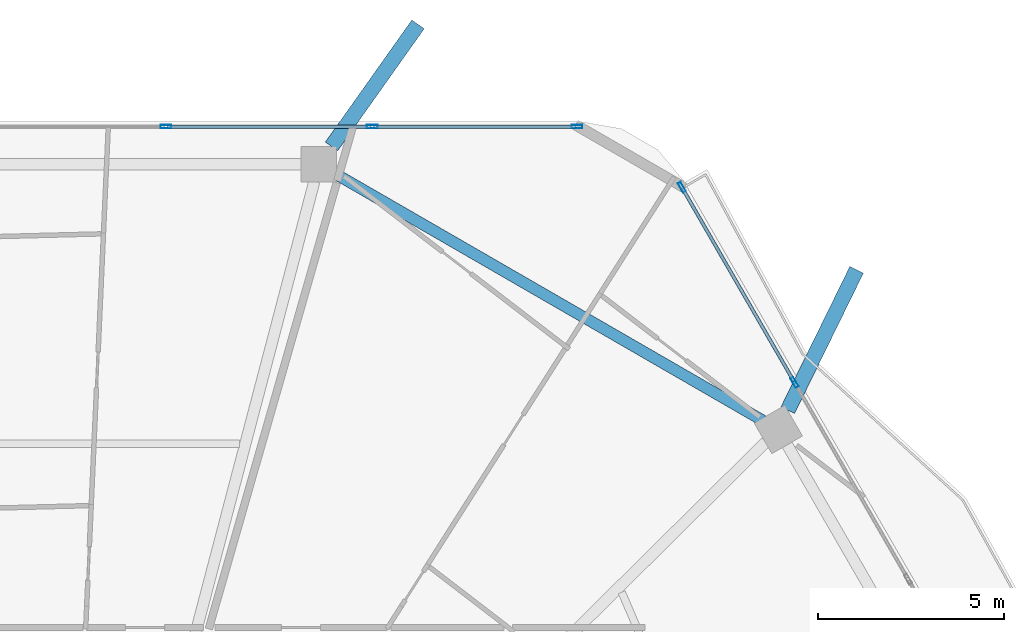
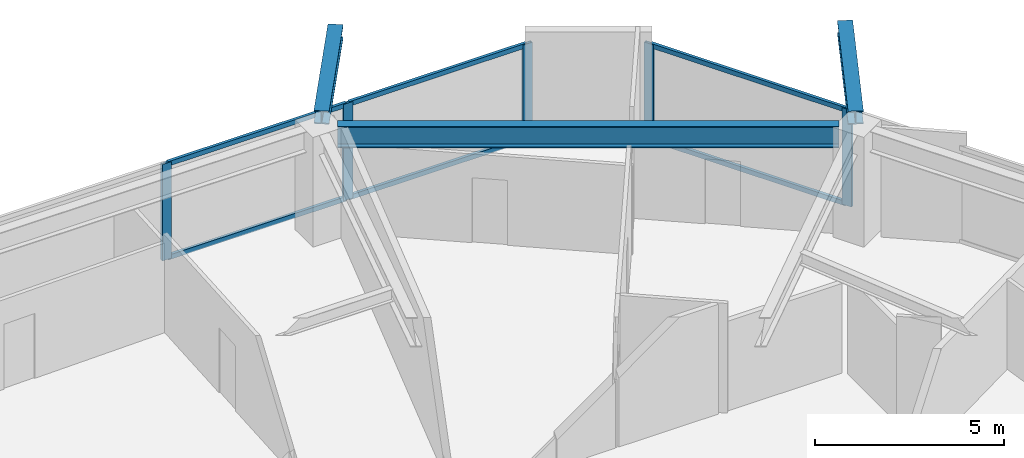
# One storey, part 16 of 26: 11 members, 3 beams, 2 elements without a shape of their own.
"""IFC4 building model written with IfcOpenShell, lengths in metres."""

from ifc_helpers import new_model, si_unit, direction, frame, origin, origin_2d, place, context, subcontext, project, spatial, hollow_rectangle, i_section, extrude, material, material_profile, profile_set, type_object, element, aggregate, save


model = new_model("IFC4")

# Units and contexts
model_context = context("Model", 3, precision=1e-05, world=origin(), true_north=direction((0.0, 1.0)))
body_context = subcontext(model_context, "Body", "Model", "MODEL_VIEW")
ifc_project = project(units=[si_unit("LENGTHUNIT", "METRE"), si_unit("AREAUNIT", "SQUARE_METRE"), si_unit("VOLUMEUNIT", "CUBIC_METRE"), si_unit("PLANEANGLEUNIT", "RADIAN"), si_unit("MASSUNIT", "GRAM", prefix="KILO")], contexts=[model_context])

# Site, building, storey
site_placement = place(None, origin())
site = spatial("IfcSite", under=ifc_project, at=site_placement, CompositionType="ELEMENT")
building_placement = place(site_placement, origin())
building = spatial("IfcBuilding", under=site, at=building_placement, Name="Zuhravey Tower", CompositionType="ELEMENT")
storey_placement = place(building_placement, frame((0.0, 0.0, 203.60009765625)))
storey = spatial("IfcBuildingStorey", under=building, at=storey_placement, Name="L51", CompositionType="ELEMENT", Elevation=203.60009765625)

# Curtain wall, members
ifc_material_1 = material(Name="Thermally broken anodised aluminium", Category="aluminium")
curtain_wall_type = type_object("IfcCurtainWallType", Name="Zone 1-2 Residential Curtain Wall CW3", PredefinedType="NOTDEFINED", material=ifc_material_1)
curtain_wall_1_placement = place(storey_placement, origin())
curtain_wall_1 = element("IfcCurtainWall", 1, at=curtain_wall_1_placement, inside=storey, type_object=curtain_wall_type, Name="L51 CW3 CW-L51-F2-1", PredefinedType="NOTDEFINED")
ifc_material_2 = material(Name="Anodised aluminium", Category="aluminium")
ifc_material_profile_1 = material_profile(ifc_material_2, hollow_rectangle(XDim=0.090087890625, YDim=0.284912109375, WallThickness=0.0048828125, at=origin_2d()), Name="ALU-RHS-90x285x5")
ifc_profile_set_1 = profile_set([ifc_material_profile_1], Name="Anodised aluminium")
member_type_1 = type_object("IfcMemberType", Name="Curtain-Wall Mullion 90x180", PredefinedType="MULLION", material=ifc_profile_set_1)
member_1_placement = place(storey_placement, frame((38.772216796875, 59.18310546875, 0.0), z_axis=(0.0, 0.0, 1.0), x_axis=(0.0, 1.0, 0.0)))
member_1 = element("IfcMember", 2, at=member_1_placement, type_object=member_type_1, Name="CW3 mullion 4", PredefinedType="MULLION", context=body_context, shape_type="SweptSolid", body=[
    extrude(hollow_rectangle(XDim=0.090087890625, YDim=0.284912109375, WallThickness=0.0048828125, at=origin_2d()), origin(), (0.0, 0.0, 1.0), 3.121826171875),
])
member_2_placement = place(storey_placement, frame((44.316650390625, 59.18310546875, 0.0), z_axis=(0.0, 0.0, 1.0), x_axis=(0.0, 1.0, 0.0)))
member_2 = element("IfcMember", 3, at=member_2_placement, type_object=member_type_1, Name="CW3 mullion 5", PredefinedType="MULLION", context=body_context, shape_type="SweptSolid", body=[
    extrude(hollow_rectangle(XDim=0.090087890625, YDim=0.284912109375, WallThickness=0.0048828125, at=origin_2d()), origin(), (0.0, 0.0, 1.0), 3.121826171875),
])
member_3_placement = place(storey_placement, frame((49.816162109375, 59.18310546875, 0.0), z_axis=(0.0, 0.0, 1.0), x_axis=(0.0, 1.0, 0.0)))
member_3 = element("IfcMember", 4, at=member_3_placement, type_object=member_type_1, Name="CW3 mullion 6", PredefinedType="MULLION", context=body_context, shape_type="SweptSolid", body=[
    extrude(hollow_rectangle(XDim=0.090087890625, YDim=0.284912109375, WallThickness=0.0048828125, at=origin_2d()), origin(), (0.0, 0.0, 1.0), 3.121826171875),
])

curtain_wall_2_placement = place(storey_placement, origin())
curtain_wall_2 = element("IfcCurtainWall", 5, at=curtain_wall_2_placement, inside=storey, type_object=curtain_wall_type, Name="L51 CW3 CW-L51-F1-1", PredefinedType="NOTDEFINED")
member_4_placement = place(storey_placement, frame((52.63330078125, 57.556640625, 0.0), z_axis=(0.0, 0.0, 1.0), x_axis=(0.866024088187, 0.500002278674, 0.0)))
member_4 = element("IfcMember", 6, at=member_4_placement, type_object=member_type_1, Name="CW3 mullion 1", PredefinedType="MULLION", context=body_context, shape_type="SweptSolid", body=[
    extrude(hollow_rectangle(XDim=0.090087890625, YDim=0.284912109375, WallThickness=0.0048828125, at=origin_2d()), origin(), (0.0, 0.0, 1.0), 3.121826171875),
])
member_5_placement = place(storey_placement, frame((55.66162109375, 52.311279296875, 0.0), z_axis=(0.0, 0.0, 1.0), x_axis=(0.866024088187, 0.500002278674, 0.0)))
member_5 = element("IfcMember", 7, at=member_5_placement, type_object=member_type_1, Name="CW3 mullion 2", PredefinedType="MULLION", context=body_context, shape_type="SweptSolid", body=[
    extrude(hollow_rectangle(XDim=0.090087890625, YDim=0.284912109375, WallThickness=0.0048828125, at=origin_2d()), origin(), (0.0, 0.0, 1.0), 3.121826171875),
])

# Member
ifc_material_profile_2 = material_profile(ifc_material_2, hollow_rectangle(XDim=0.090087890625, YDim=0.14990234375, WallThickness=0.0048828125, at=origin_2d()), Name="ALU-RHS-90x150x5")
ifc_profile_set_2 = profile_set([ifc_material_profile_2], Name="Anodised aluminium")
member_type_2 = type_object("IfcMemberType", Name="Curtain-Wall Transom 90x150", PredefinedType="USERDEFINED", material=ifc_profile_set_2)
member_6_placement = place(storey_placement, frame((38.817138671875, 59.18310546875, 0.044921875), z_axis=(1.0, 0.0, 0.0), x_axis=(0.0, 1.0, 0.0)))
member_6 = element("IfcMember", 8, at=member_6_placement, type_object=member_type_2, Name="CW3 transom 4.1", ObjectType="TRANSOM", PredefinedType="USERDEFINED", context=body_context, shape_type="SweptSolid", body=[
    extrude(hollow_rectangle(XDim=0.090087890625, YDim=0.14990234375, WallThickness=0.0048828125, at=origin_2d()), origin(), (0.0, 0.0, 1.0), 5.45458984375),
])

member_7_placement = place(storey_placement, frame((38.817138671875, 59.18310546875, 3.076904296875), z_axis=(1.0, 0.0, 0.0), x_axis=(0.0, 1.0, 0.0)))
member_7 = element("IfcMember", 9, at=member_7_placement, type_object=member_type_2, Name="CW3 transom 4.2", ObjectType="TRANSOM", PredefinedType="USERDEFINED", context=body_context, shape_type="SweptSolid", body=[
    extrude(hollow_rectangle(XDim=0.090087890625, YDim=0.14990234375, WallThickness=0.0048828125, at=origin_2d()), origin(), (0.0, 0.0, 1.0), 5.45458984375),
])

member_8_placement = place(storey_placement, frame((44.361572265625, 59.18310546875, 0.044921875), z_axis=(1.0, 0.0, 0.0), x_axis=(0.0, 1.0, 0.0)))
member_8 = element("IfcMember", 10, at=member_8_placement, type_object=member_type_2, Name="CW3 transom 5.1", ObjectType="TRANSOM", PredefinedType="USERDEFINED", context=body_context, shape_type="SweptSolid", body=[
    extrude(hollow_rectangle(XDim=0.090087890625, YDim=0.14990234375, WallThickness=0.0048828125, at=origin_2d()), origin(), (0.0, 0.0, 1.0), 5.409423828125),
])

member_9_placement = place(storey_placement, frame((44.361572265625, 59.18310546875, 3.076904296875), z_axis=(1.0, 0.0, 0.0), x_axis=(0.0, 1.0, 0.0)))
member_9 = element("IfcMember", 11, at=member_9_placement, type_object=member_type_2, Name="CW3 transom 5.2", ObjectType="TRANSOM", PredefinedType="USERDEFINED", context=body_context, shape_type="SweptSolid", body=[
    extrude(hollow_rectangle(XDim=0.090087890625, YDim=0.14990234375, WallThickness=0.0048828125, at=origin_2d()), origin(), (0.0, 0.0, 1.0), 5.409423828125),
])

aggregate(curtain_wall_1, [member_1, member_2, member_3, member_6, member_7, member_8, member_9])

member_10_placement = place(storey_placement, frame((52.65576171875, 57.517578125, 0.044921875), z_axis=(0.500011709085, -0.866018643436, 0.0), x_axis=(0.866018643436, 0.500011709085, 0.0)))
member_10 = element("IfcMember", 12, at=member_10_placement, type_object=member_type_2, Name="CW3 transom 1.1", ObjectType="TRANSOM", PredefinedType="USERDEFINED", context=body_context, shape_type="SweptSolid", body=[
    extrude(hollow_rectangle(XDim=0.090087890625, YDim=0.14990234375, WallThickness=0.0048828125, at=origin_2d()), origin(), (0.0, 0.0, 1.0), 5.966552734375),
])

member_11_placement = place(storey_placement, frame((52.65576171875, 57.517578125, 3.076904296875), z_axis=(0.500011709085, -0.866018643436, 0.0), x_axis=(0.866018643436, 0.500011709085, 0.0)))
member_11 = element("IfcMember", 13, at=member_11_placement, type_object=member_type_2, Name="CW3 transom 1.2", ObjectType="TRANSOM", PredefinedType="USERDEFINED", context=body_context, shape_type="SweptSolid", body=[
    extrude(hollow_rectangle(XDim=0.090087890625, YDim=0.14990234375, WallThickness=0.0048828125, at=origin_2d()), origin(), (0.0, 0.0, 1.0), 5.966552734375),
])

aggregate(curtain_wall_2, [member_4, member_5, member_10, member_11])

# Beams
ifc_material_3 = material(Name="Steel SM460", Category="steel")
ifc_material_profile_3 = material_profile(ifc_material_3, i_section(OverallWidth=0.406982421875, OverallDepth=0.427978515625, WebThickness=0.02001953125, FlangeThickness=0.034912109375, at=origin_2d()), Name="H-428x407x20x35")
ifc_profile_set_3 = profile_set([ifc_material_profile_3], Name="Steel SM460")
beam_type_1 = type_object("IfcBeamType", Name="Exoskeleton Node Tie Beam H428x407", PredefinedType="BEAM", material=ifc_profile_set_3)
beam_1_placement = place(storey_placement, frame((55.479248046875, 51.56396484375, 3.3359375), z_axis=(0.440182929232, 0.897908118246, 0.0), x_axis=(-0.897908118246, 0.440182929232, 0.0)))
element("IfcBeam", 14, at=beam_1_placement, inside=storey, type_object=beam_type_1, Name="L51 Exoskeleton Node Tie NT1-02", PredefinedType="BEAM", context=body_context, shape_type="SweptSolid", body=[
    extrude(i_section(OverallWidth=0.406982421875, OverallDepth=0.427978515625, WebThickness=0.02001953125, FlangeThickness=0.034912109375, at=origin_2d()), origin(), (0.0, 0.0, 1.0), 4.203125),
])
beam_2_placement = place(storey_placement, frame((43.22119140625, 58.6513671875, 3.3359375), z_axis=(0.578379549455, 0.815767795866, 0.0), x_axis=(-0.815767795866, 0.578379549455, 0.0)))
element("IfcBeam", 15, at=beam_2_placement, inside=storey, type_object=beam_type_1, Name="L51 Exoskeleton Node Tie NT1-03", PredefinedType="BEAM", context=body_context, shape_type="SweptSolid", body=[
    extrude(i_section(OverallWidth=0.406982421875, OverallDepth=0.427978515625, WebThickness=0.02001953125, FlangeThickness=0.034912109375, at=origin_2d()), origin(), (0.0, 0.0, 1.0), 4.020263671875),
])
ifc_material_4 = material(Name="Steel SM355", Category="steel")
ifc_material_profile_4 = material_profile(ifc_material_4, i_section(OverallWidth=0.300048828125, OverallDepth=0.679931640625, WebThickness=0.012939453125, FlangeThickness=0.02197265625, at=origin_2d()), Name="H-680x300x13x22")
ifc_profile_set_4 = profile_set([ifc_material_profile_4], Name="Steel SM355")
beam_type_2 = type_object("IfcBeamType", Name="Perimeter Ring Beam H680x300", PredefinedType="BEAM", material=ifc_profile_set_4)
beam_3_placement = place(storey_placement, frame((54.8115234375, 51.28564453125, 3.2099609375), z_axis=(-0.866029041019, 0.499993700073, 0.0), x_axis=(-0.499993700073, -0.866029041019, 0.0)))
element("IfcBeam", 16, at=beam_3_placement, inside=storey, type_object=beam_type_2, Name="L51 PB2 BM-L51-PB-02", PredefinedType="BEAM", context=body_context, shape_type="SweptSolid", body=[
    extrude(i_section(OverallWidth=0.300048828125, OverallDepth=0.679931640625, WebThickness=0.012939453125, FlangeThickness=0.02197265625, at=origin_2d()), origin(), (0.0, 0.0, 1.0), 13.297119140625),
])

save(model, "model.ifc")
